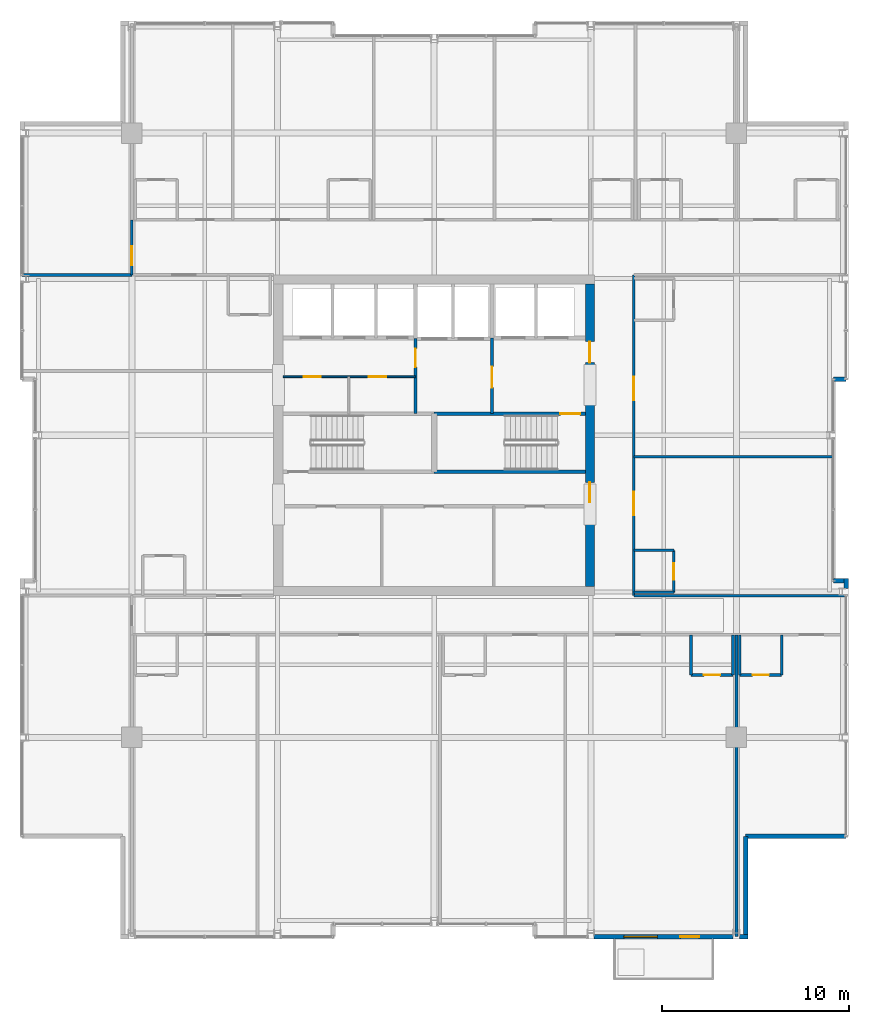
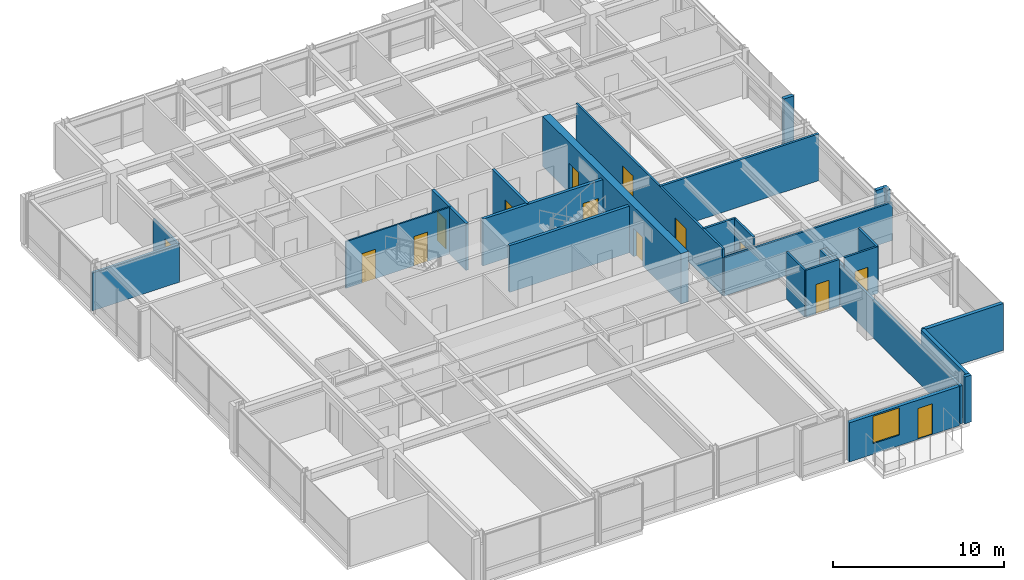
# One storey, part 27 of 31: 28 walls, 14 doors, 1 window, 15 openings.
"""IFC4 building model written with IfcOpenShell, lengths in metres."""

from ifc_helpers import new_model, si_unit, direction, frame, frame_2d, origin, place, context, subcontext, project, spatial, rectangle, extrude, material, layer, layer_set, type_object, element, fill, save


model = new_model("IFC4")

# Units and contexts
model_context = context("Model", 3, precision=1e-05, world=origin(), true_north=direction((0.0, 1.0)))
body_context = subcontext(model_context, "Body", "Model", "MODEL_VIEW")
ifc_project = project(units=[si_unit("LENGTHUNIT", "METRE"), si_unit("AREAUNIT", "SQUARE_METRE"), si_unit("VOLUMEUNIT", "CUBIC_METRE"), si_unit("PLANEANGLEUNIT", "RADIAN"), si_unit("MASSUNIT", "GRAM", prefix="KILO")], contexts=[model_context])

# Site, building, storey
site_placement = place(None, origin())
site = spatial("IfcSite", under=ifc_project, at=site_placement, CompositionType="ELEMENT")
building_placement = place(site_placement, origin())
building = spatial("IfcBuilding", under=site, at=building_placement, Name="Drelvath Grand Hotel", CompositionType="ELEMENT")
storey_placement = place(building_placement, frame((0.0, 0.0, 244.699951171875)))
storey = spatial("IfcBuildingStorey", under=building, at=storey_placement, Name="L64", CompositionType="ELEMENT", Elevation=244.699951171875)

# Wall, openings, doors
ifc_material_1 = material(Name="Gypsum Partition Board")
ifc_layer_1 = layer(ifc_material_1, 0.10009765625)
ifc_layer_set_1 = layer_set([ifc_layer_1], Name="Gypsum Partition Board")
wall_type_1 = type_object("IfcWallType", Name="Core Closet Partition 100", PredefinedType="PARTITIONING", material=ifc_layer_set_1)
wall_1_placement = place(storey_placement, frame((-8.10009765625, 30.139892578125, 0.0), z_axis=(0.0, 0.0, 1.0), x_axis=(1.0, 0.0, 0.0)))
wall_1 = element("IfcWall", 1, at=wall_1_placement, inside=storey, type_object=wall_type_1, Name="L64 High-Rise Lobby Closet Wall", PredefinedType="PARTITIONING", context=body_context, shape_type="SweptSolid", body=[
    extrude(rectangle(XDim=7.10009765625, YDim=0.10009765625, at=frame_2d((3.550048828125, 0.0))), origin(), (0.0, 0.0, 1.0), 3.340087890625),
])
opening_1_placement = place(wall_1_placement, frame((1.10009765625, 0.0, 0.0)))
opening_1 = element("IfcOpeningElement", 2, at=opening_1_placement, cuts=wall_1, Name="Opening D-T4G4-013", PredefinedType="OPENING", context=body_context, shape_type="SweptSolid", body=[
    extrude(rectangle(XDim=0.919921875, YDim=2.10009765625, at=frame_2d((0.4599609375, 1.050048828125))), frame((0.0, 0.06005859375, 0.0), z_axis=(0.0, -1.0, 0.0), x_axis=(1.0, 0.0, 0.0)), (0.0, 0.0, 1.0), 0.1201171875),
])
opening_2_placement = place(wall_1_placement, frame((4.60009765625, 0.0, 0.0)))
opening_2 = element("IfcOpeningElement", 3, at=opening_2_placement, cuts=wall_1, Name="Opening D-T4G4-014", PredefinedType="OPENING", context=body_context, shape_type="SweptSolid", body=[
    extrude(rectangle(XDim=0.919921875, YDim=2.10009765625, at=frame_2d((0.4599609375, 1.050048828125))), frame((0.0, 0.06005859375, 0.0), z_axis=(0.0, -1.0, 0.0), x_axis=(1.0, 0.0, 0.0)), (0.0, 0.0, 1.0), 0.1201171875),
])
ifc_material_2 = material(Name="Painted Steel S275", Category="steel")
door_type_1 = type_object("IfcDoorType", Name="Staff Utility Door 920x2100", OperationType="NOTDEFINED", PredefinedType="DOOR", material=ifc_material_2)
door_1_placement = place(opening_1_placement, origin())
door_1 = element("IfcDoor", 4, at=door_1_placement, inside=storey, type_object=door_type_1, Name="L64 Electrical Closet Door", OperationType="SINGLE_SWING_RIGHT", OverallHeight=2.10009765625, OverallWidth=0.919921875, PredefinedType="DOOR", context=body_context, shape_type="SweptSolid", body=[
    extrude(rectangle(XDim=0.919921875, YDim=2.10009765625, at=frame_2d((0.4599609375, 1.050048828125))), frame((0.0, 0.02490234375, 0.0), z_axis=(0.0, -1.0, 0.0), x_axis=(1.0, 0.0, 0.0)), (0.0, 0.0, 1.0), 0.050048828125),
])
fill(opening_1, door_1)
door_2_placement = place(opening_2_placement, origin())
door_2 = element("IfcDoor", 5, at=door_2_placement, inside=storey, type_object=door_type_1, Name="L64 Telecom Room Door", OperationType="SINGLE_SWING_LEFT", OverallHeight=2.10009765625, OverallWidth=0.919921875, PredefinedType="DOOR", context=body_context, shape_type="SweptSolid", body=[
    extrude(rectangle(XDim=0.919921875, YDim=2.10009765625, at=frame_2d((0.4599609375, 1.050048828125))), frame((0.0, 0.02490234375, 0.0), z_axis=(0.0, -1.0, 0.0), x_axis=(1.0, 0.0, 0.0)), (0.0, 0.0, 1.0), 0.050048828125),
])
fill(opening_2, door_2)

# Wall
ifc_material_3 = material(Name="Concrete C40/50", Category="concrete")
ifc_layer_2 = layer(ifc_material_3, 0.199951171875)
ifc_layer_set_2 = layer_set([ifc_layer_2], Name="Concrete C40/50")
wall_type_2 = type_object("IfcWallType", Name="Core Shaft Fire Wall 200", PredefinedType="SOLIDWALL", material=ifc_layer_set_2)
wall_2_placement = place(storey_placement, frame((0.0, 25.0400390625, 0.0), z_axis=(0.0, 0.0, 1.0), x_axis=(1.0, 0.0, 0.0)))
element("IfcWall", 6, at=wall_2_placement, inside=storey, type_object=wall_type_2, Name="L64 Stair ST-2 South Wall", PredefinedType="SOLIDWALL", context=body_context, shape_type="SweptSolid", body=[
    extrude(rectangle(XDim=8.10009765625, YDim=0.199951171875, at=frame_2d((4.050048828125, 0.0))), origin(), (0.0, 0.0, 1.0), 3.340087890625),
])

# Wall, opening, door
wall_3_placement = place(storey_placement, frame((8.10009765625, 28.159912109375, 0.0), z_axis=(0.0, 0.0, 1.0), x_axis=(-1.0, 0.0, 0.0)))
wall_3 = element("IfcWall", 7, at=wall_3_placement, inside=storey, type_object=wall_type_2, Name="L64 Stair ST-2 North Wall", PredefinedType="SOLIDWALL", context=body_context, shape_type="SweptSolid", body=[
    extrude(rectangle(XDim=8.10009765625, YDim=0.199951171875, at=frame_2d((4.050048828125, 0.0))), origin(), (0.0, 0.0, 1.0), 3.340087890625),
])
opening_3_placement = place(wall_3_placement, frame((0.280029296875, 0.0, 0.0)))
opening_3 = element("IfcOpeningElement", 8, at=opening_3_placement, cuts=wall_3, Name="Opening D-T4G4-002", PredefinedType="OPENING", context=body_context, shape_type="SweptSolid", body=[
    extrude(rectangle(XDim=1.050048828125, YDim=2.10009765625, at=frame_2d((0.52490234375, 1.050048828125))), frame((0.0, 0.10986328125, 0.0), z_axis=(0.0, -1.0, 0.0), x_axis=(1.0, 0.0, 0.0)), (0.0, 0.0, 1.0), 0.219970703125),
])
door_type_2 = type_object("IfcDoorType", Name="Tower Stairwell Fire Door 1050x2100", OperationType="NOTDEFINED", PredefinedType="DOOR", material=ifc_material_2)
door_3_placement = place(opening_3_placement, origin())
door_3 = element("IfcDoor", 9, at=door_3_placement, inside=storey, type_object=door_type_2, Name="L64 Exit Stair ST-2 Door", OperationType="SINGLE_SWING_LEFT", OverallHeight=2.10009765625, OverallWidth=1.050048828125, PredefinedType="DOOR", context=body_context, shape_type="SweptSolid", body=[
    extrude(rectangle(XDim=1.050048828125, YDim=2.10009765625, at=frame_2d((0.52490234375, 1.050048828125))), frame((0.0, 0.02490234375, 0.0), z_axis=(0.0, -1.0, 0.0), x_axis=(1.0, 0.0, 0.0)), (0.0, 0.0, 1.0), 0.050048828125),
])
fill(opening_3, door_3)

# Wall
ifc_material_4 = material(Name="Gypsum Fireboard Partition")
ifc_layer_3 = layer(ifc_material_4, 0.135009765625)
ifc_layer_set_3 = layer_set([ifc_layer_3], Name="Gypsum Fireboard Partition")
wall_type_3 = type_object("IfcWallType", Name="Corridor Fire Barrier Wall 135", PredefinedType="PARTITIONING", material=ifc_layer_set_3)
wall_4_placement = place(storey_placement, frame((10.699951171875, 18.39990234375, 0.0), z_axis=(0.0, 0.0, 1.0), x_axis=(1.0, 0.0, 0.0)))
element("IfcWall", 10, at=wall_4_placement, inside=storey, type_object=wall_type_3, Name="L64 South Gallery Inner East Wall", PredefinedType="PARTITIONING", context=body_context, shape_type="SweptSolid", body=[
    extrude(rectangle(XDim=11.380126953125, YDim=0.135009765625, at=frame_2d((5.68994140625, 0.0))), origin(), (0.0, 0.0, 1.0), 2.717529296875),
])

# Wall, openings, doors
wall_5_placement = place(storey_placement, frame((10.699951171875, 18.39990234375, 0.0), z_axis=(0.0, 0.0, 1.0), x_axis=(0.0, 1.0, 0.0)))
wall_5 = element("IfcWall", 11, at=wall_5_placement, inside=storey, type_object=wall_type_3, Name="L64 East Gallery Link Wall", PredefinedType="PARTITIONING", context=body_context, shape_type="SweptSolid", body=[
    extrude(rectangle(XDim=17.2001953125, YDim=0.135009765625, at=frame_2d((8.60009765625, 0.0))), origin(), (0.0, 0.0, 1.0), 3.340087890625),
])
opening_4_placement = place(wall_5_placement, frame((4.311767578125, 0.0, 0.0)))
opening_4 = element("IfcOpeningElement", 12, at=opening_4_placement, cuts=wall_5, Name="Opening D-T4G4-042", PredefinedType="OPENING", context=body_context, shape_type="SweptSolid", body=[
    extrude(rectangle(XDim=1.260009765625, YDim=2.199951171875, at=frame_2d((0.6298828125, 1.10009765625))), frame((0.0, 0.077392578125, 0.0), z_axis=(0.0, -1.0, 0.0), x_axis=(1.0, 0.0, 0.0)), (0.0, 0.0, 1.0), 0.155029296875),
])
opening_5_placement = place(wall_5_placement, frame((10.481689453125, 0.0, 0.0)))
opening_5 = element("IfcOpeningElement", 13, at=opening_5_placement, cuts=wall_5, Name="Opening D-T4G4-044", PredefinedType="OPENING", context=body_context, shape_type="SweptSolid", body=[
    extrude(rectangle(XDim=1.260009765625, YDim=2.199951171875, at=frame_2d((0.6298828125, 1.10009765625))), frame((0.0, 0.077392578125, 0.0), z_axis=(0.0, -1.0, 0.0), x_axis=(1.0, 0.0, 0.0)), (0.0, 0.0, 1.0), 0.155029296875),
])
ifc_material_5 = material(Name="Hardwood Walnut Timber", Category="wood")
door_type_3 = type_object("IfcDoorType", Name="Suite Entrance Fire Door 1260x2200", OperationType="NOTDEFINED", PredefinedType="DOOR", material=ifc_material_5)
door_4_placement = place(opening_4_placement, origin())
door_4 = element("IfcDoor", 14, at=door_4_placement, inside=storey, type_object=door_type_3, Name="L64 Diplomatic Suite Entry Door", OperationType="SINGLE_SWING_LEFT", OverallHeight=2.199951171875, OverallWidth=1.260009765625, PredefinedType="DOOR", context=body_context, shape_type="SweptSolid", body=[
    extrude(rectangle(XDim=1.260009765625, YDim=2.199951171875, at=frame_2d((0.6298828125, 1.10009765625))), frame((0.0, 0.02490234375, 0.0), z_axis=(0.0, -1.0, 0.0), x_axis=(1.0, 0.0, 0.0)), (0.0, 0.0, 1.0), 0.050048828125),
])
fill(opening_4, door_4)
door_5_placement = place(opening_5_placement, origin())
door_5 = element("IfcDoor", 15, at=door_5_placement, inside=storey, type_object=door_type_3, Name="L64 Diplomatic Suite Entry Door", OperationType="SINGLE_SWING_LEFT", OverallHeight=2.199951171875, OverallWidth=1.260009765625, PredefinedType="DOOR", context=body_context, shape_type="SweptSolid", body=[
    extrude(rectangle(XDim=1.260009765625, YDim=2.199951171875, at=frame_2d((0.6298828125, 1.10009765625))), frame((0.0, 0.02490234375, 0.0), z_axis=(0.0, -1.0, 0.0), x_axis=(1.0, 0.0, 0.0)), (0.0, 0.0, 1.0), 0.050048828125),
])
fill(opening_5, door_5)

# Wall, opening, door
wall_6_placement = place(storey_placement, frame((-16.199951171875, 35.60009765625, 0.0), z_axis=(0.0, 0.0, 1.0), x_axis=(0.0, 1.0, 0.0)))
wall_6 = element("IfcWall", 16, at=wall_6_placement, inside=storey, type_object=wall_type_3, Name="L64 North Gallery West End", PredefinedType="PARTITIONING", context=body_context, shape_type="SweptSolid", body=[
    extrude(rectangle(XDim=2.949951171875, YDim=0.135009765625, at=frame_2d((1.47509765625, 0.0))), origin(), (0.0, 0.0, 1.0), 2.7138671875),
])
opening_6_placement = place(wall_6_placement, frame((0.52001953125, 0.0, 0.0)))
opening_6 = element("IfcOpeningElement", 17, at=opening_6_placement, cuts=wall_6, Name="Opening D-T4G4-020", PredefinedType="OPENING", context=body_context, shape_type="SweptSolid", body=[
    extrude(rectangle(XDim=1.02001953125, YDim=2.14990234375, at=frame_2d((0.510009765625, 1.074951171875))), frame((0.0, 0.077392578125, 0.0), z_axis=(0.0, -1.0, 0.0), x_axis=(1.0, 0.0, 0.0)), (0.0, 0.0, 1.0), 0.155029296875),
])
door_type_4 = type_object("IfcDoorType", Name="Amenity Meeting Fire Door 1020x2150", OperationType="NOTDEFINED", PredefinedType="DOOR", material=ifc_material_5)
door_6_placement = place(opening_6_placement, origin())
door_6 = element("IfcDoor", 18, at=door_6_placement, inside=storey, type_object=door_type_4, Name="L64 Corner Panorama Lounge Door", OperationType="SINGLE_SWING_LEFT", OverallHeight=2.14990234375, OverallWidth=1.02001953125, PredefinedType="DOOR", context=body_context, shape_type="SweptSolid", body=[
    extrude(rectangle(XDim=1.02001953125, YDim=2.14990234375, at=frame_2d((0.510009765625, 1.074951171875))), frame((0.0, 0.02490234375, 0.0), z_axis=(0.0, -1.0, 0.0), x_axis=(1.0, 0.0, 0.0)), (0.0, 0.0, 1.0), 0.050048828125),
])
fill(opening_6, door_6)

# Walls
ifc_material_6 = material(Name="Moisture-Resistant Gypsum Board")
ifc_layer_4 = layer(ifc_material_6, 0.139892578125)
ifc_layer_set_4 = layer_set([ifc_layer_4], Name="Moisture-Resistant Gypsum Board")
wall_type_4 = type_object("IfcWallType", Name="En-Suite Plumbing Wall 140", PredefinedType="PLUMBINGWALL", material=ifc_layer_set_4)
wall_7_placement = place(storey_placement, frame((16.3798828125, 16.300048828125, 0.0), z_axis=(0.0, 0.0, 1.0), x_axis=(0.0, -1.0, 0.0)))
element("IfcWall", 19, at=wall_7_placement, inside=storey, type_object=wall_type_4, Name="L64 En-Suite Left Wall", PredefinedType="PLUMBINGWALL", context=body_context, shape_type="SweptSolid", body=[
    extrude(rectangle(XDim=2.150146484375, YDim=0.139892578125, at=frame_2d((1.0751953125, 0.0))), origin(), (0.0, 0.0, 1.0), 2.7138671875),
])
wall_8_placement = place(storey_placement, frame((18.6298828125, 16.300048828125, 0.0), z_axis=(0.0, 0.0, 1.0), x_axis=(0.0, -1.0, 0.0)))
element("IfcWall", 20, at=wall_8_placement, inside=storey, type_object=wall_type_4, Name="L64 En-Suite Right Wall", PredefinedType="PLUMBINGWALL", context=body_context, shape_type="SweptSolid", body=[
    extrude(rectangle(XDim=2.150146484375, YDim=0.139892578125, at=frame_2d((1.0751953125, 0.0))), origin(), (0.0, 0.0, 1.0), 3.340087890625),
])

# Wall, opening, door
wall_9_placement = place(storey_placement, frame((16.3798828125, 14.14990234375, 0.0), z_axis=(0.0, 0.0, 1.0), x_axis=(1.0, 0.0, 0.0)))
wall_9 = element("IfcWall", 21, at=wall_9_placement, inside=storey, type_object=wall_type_4, Name="L64 En-Suite Front Wall", PredefinedType="PLUMBINGWALL", context=body_context, shape_type="SweptSolid", body=[
    extrude(rectangle(XDim=2.25, YDim=0.139892578125, at=frame_2d((1.125, 0.0))), origin(), (0.0, 0.0, 1.0), 3.340087890625),
])
opening_7_placement = place(wall_9_placement, frame((0.68505859375, 0.0, 0.0)))
opening_7 = element("IfcOpeningElement", 22, at=opening_7_placement, cuts=wall_9, Name="Opening D-T4G4-021", PredefinedType="OPENING", context=body_context, shape_type="SweptSolid", body=[
    extrude(rectangle(XDim=0.8798828125, YDim=2.10009765625, at=frame_2d((0.43994140625, 1.050048828125))), frame((0.0, 0.079833984375, 0.0), z_axis=(0.0, -1.0, 0.0), x_axis=(1.0, 0.0, 0.0)), (0.0, 0.0, 1.0), 0.159912109375),
])
door_type_5 = type_object("IfcDoorType", Name="En-Suite Bathroom Door 880x2100", OperationType="NOTDEFINED", PredefinedType="DOOR", material=ifc_material_5)
door_7_placement = place(opening_7_placement, origin())
door_7 = element("IfcDoor", 23, at=door_7_placement, inside=storey, type_object=door_type_5, Name="L64 En-Suite Bathroom Door", OperationType="SINGLE_SWING_RIGHT", OverallHeight=2.10009765625, OverallWidth=0.8798828125, PredefinedType="DOOR", context=body_context, shape_type="SweptSolid", body=[
    extrude(rectangle(XDim=0.8798828125, YDim=2.10009765625, at=frame_2d((0.43994140625, 1.050048828125))), frame((0.0, 0.02490234375, 0.0), z_axis=(0.0, -1.0, 0.0), x_axis=(1.0, 0.0, 0.0)), (0.0, 0.0, 1.0), 0.050048828125),
])
fill(opening_7, door_7)

# Walls
wall_10_placement = place(storey_placement, frame((13.77001953125, 16.300048828125, 0.0), z_axis=(0.0, 0.0, 1.0), x_axis=(0.0, -1.0, 0.0)))
element("IfcWall", 24, at=wall_10_placement, inside=storey, type_object=wall_type_4, Name="L64 En-Suite Left Wall", PredefinedType="PLUMBINGWALL", context=body_context, shape_type="SweptSolid", body=[
    extrude(rectangle(XDim=2.150146484375, YDim=0.139892578125, at=frame_2d((1.0751953125, 0.0))), origin(), (0.0, 0.0, 1.0), 3.340087890625),
])
wall_11_placement = place(storey_placement, frame((16.02001953125, 16.300048828125, 0.0), z_axis=(0.0, 0.0, 1.0), x_axis=(0.0, -1.0, 0.0)))
element("IfcWall", 25, at=wall_11_placement, inside=storey, type_object=wall_type_4, Name="L64 En-Suite Right Wall", PredefinedType="PLUMBINGWALL", context=body_context, shape_type="SweptSolid", body=[
    extrude(rectangle(XDim=2.150146484375, YDim=0.139892578125, at=frame_2d((1.0751953125, 0.0))), origin(), (0.0, 0.0, 1.0), 2.7138671875),
])

# Wall, opening, door
wall_12_placement = place(storey_placement, frame((13.77001953125, 14.14990234375, 0.0), z_axis=(0.0, 0.0, 1.0), x_axis=(1.0, 0.0, 0.0)))
wall_12 = element("IfcWall", 26, at=wall_12_placement, inside=storey, type_object=wall_type_4, Name="L64 En-Suite Front Wall", PredefinedType="PLUMBINGWALL", context=body_context, shape_type="SweptSolid", body=[
    extrude(rectangle(XDim=2.25, YDim=0.139892578125, at=frame_2d((1.125, 0.0))), origin(), (0.0, 0.0, 1.0), 3.340087890625),
])
opening_8_placement = place(wall_12_placement, frame((0.68505859375, 0.0, 0.0)))
opening_8 = element("IfcOpeningElement", 27, at=opening_8_placement, cuts=wall_12, Name="Opening D-T4G4-030", PredefinedType="OPENING", context=body_context, shape_type="SweptSolid", body=[
    extrude(rectangle(XDim=0.8798828125, YDim=2.10009765625, at=frame_2d((0.43994140625, 1.050048828125))), frame((0.0, 0.079833984375, 0.0), z_axis=(0.0, -1.0, 0.0), x_axis=(1.0, 0.0, 0.0)), (0.0, 0.0, 1.0), 0.159912109375),
])
door_8_placement = place(opening_8_placement, origin())
door_8 = element("IfcDoor", 28, at=door_8_placement, inside=storey, type_object=door_type_5, Name="L64 En-Suite Bathroom Door", OperationType="SINGLE_SWING_LEFT", OverallHeight=2.10009765625, OverallWidth=0.8798828125, PredefinedType="DOOR", context=body_context, shape_type="SweptSolid", body=[
    extrude(rectangle(XDim=0.8798828125, YDim=2.10009765625, at=frame_2d((0.43994140625, 1.050048828125))), frame((0.0, 0.02490234375, 0.0), z_axis=(0.0, -1.0, 0.0), x_axis=(1.0, 0.0, 0.0)), (0.0, 0.0, 1.0), 0.050048828125),
])
fill(opening_8, door_8)

# Walls
wall_13_placement = place(storey_placement, frame((10.699951171875, 18.580078125, 0.0), z_axis=(0.0, 0.0, 1.0), x_axis=(1.0, 0.0, 0.0)))
element("IfcWall", 29, at=wall_13_placement, inside=storey, type_object=wall_type_4, Name="L64 En-Suite Left Wall", PredefinedType="PLUMBINGWALL", context=body_context, shape_type="SweptSolid", body=[
    extrude(rectangle(XDim=2.150146484375, YDim=0.139892578125, at=frame_2d((1.0751953125, 0.0))), origin(), (0.0, 0.0, 1.0), 2.717529296875),
])
wall_14_placement = place(storey_placement, frame((10.699951171875, 20.830078125, 0.0), z_axis=(0.0, 0.0, 1.0), x_axis=(1.0, 0.0, 0.0)))
element("IfcWall", 30, at=wall_14_placement, inside=storey, type_object=wall_type_4, Name="L64 En-Suite Right Wall", PredefinedType="PLUMBINGWALL", context=body_context, shape_type="SweptSolid", body=[
    extrude(rectangle(XDim=2.150146484375, YDim=0.139892578125, at=frame_2d((1.0751953125, 0.0))), origin(), (0.0, 0.0, 1.0), 3.340087890625),
])

# Wall, opening, door
wall_15_placement = place(storey_placement, frame((12.85009765625, 18.580078125, 0.0), z_axis=(0.0, 0.0, 1.0), x_axis=(0.0, 1.0, 0.0)))
wall_15 = element("IfcWall", 31, at=wall_15_placement, inside=storey, type_object=wall_type_4, Name="L64 En-Suite Front Wall", PredefinedType="PLUMBINGWALL", context=body_context, shape_type="SweptSolid", body=[
    extrude(rectangle(XDim=2.25, YDim=0.139892578125, at=frame_2d((1.125, 0.0))), origin(), (0.0, 0.0, 1.0), 3.340087890625),
])
opening_9_placement = place(wall_15_placement, frame((0.68505859375, 0.0, 0.0)))
opening_9 = element("IfcOpeningElement", 32, at=opening_9_placement, cuts=wall_15, Name="Opening D-T4G4-041", PredefinedType="OPENING", context=body_context, shape_type="SweptSolid", body=[
    extrude(rectangle(XDim=0.8798828125, YDim=2.10009765625, at=frame_2d((0.43994140625, 1.050048828125))), frame((0.0, 0.079833984375, 0.0), z_axis=(0.0, -1.0, 0.0), x_axis=(1.0, 0.0, 0.0)), (0.0, 0.0, 1.0), 0.159912109375),
])
door_9_placement = place(opening_9_placement, origin())
door_9 = element("IfcDoor", 33, at=door_9_placement, inside=storey, type_object=door_type_5, Name="L64 En-Suite Bathroom Door", OperationType="SINGLE_SWING_RIGHT", OverallHeight=2.10009765625, OverallWidth=0.8798828125, PredefinedType="DOOR", context=body_context, shape_type="SweptSolid", body=[
    extrude(rectangle(XDim=0.8798828125, YDim=2.10009765625, at=frame_2d((0.43994140625, 1.050048828125))), frame((0.0, 0.02490234375, 0.0), z_axis=(0.0, -1.0, 0.0), x_axis=(1.0, 0.0, 0.0)), (0.0, 0.0, 1.0), 0.050048828125),
])
fill(opening_9, door_9)

ifc_layer_5 = layer(ifc_material_4, 0.179931640625)
ifc_layer_set_5 = layer_set([ifc_layer_5], Name="Gypsum Fireboard Partition")
wall_type_5 = type_object("IfcWallType", Name="FSAE Smoke Lobby Fire Wall 180", PredefinedType="SOLIDWALL", material=ifc_layer_set_5)
wall_16_placement = place(storey_placement, frame((3.10009765625, 28.159912109375, 0.0), z_axis=(0.0, 0.0, 1.0), x_axis=(0.0, 1.0, 0.0)))
wall_16 = element("IfcWall", 34, at=wall_16_placement, inside=storey, type_object=wall_type_5, Name="L64 FSAE Smoke Lobby West Wall", PredefinedType="SOLIDWALL", context=body_context, shape_type="SweptSolid", body=[
    extrude(rectangle(XDim=4.06005859375, YDim=0.179931640625, at=frame_2d((2.030029296875, 0.0))), origin(), (0.0, 0.0, 1.0), 3.340087890625),
])
opening_10_placement = place(wall_16_placement, frame((1.39990234375, 0.0, 0.0)))
opening_10 = element("IfcOpeningElement", 35, at=opening_10_placement, cuts=wall_16, Name="Opening D-T4G4-005", PredefinedType="OPENING", context=body_context, shape_type="SweptSolid", body=[
    extrude(rectangle(XDim=1.1201171875, YDim=2.10009765625, at=frame_2d((0.56005859375, 1.050048828125))), frame((0.0, 0.099853515625, 0.0), z_axis=(0.0, -1.0, 0.0), x_axis=(1.0, 0.0, 0.0)), (0.0, 0.0, 1.0), 0.199951171875),
])
door_type_6 = type_object("IfcDoorType", Name="FSAE Smoke Lobby Fire Door 1120x2100", OperationType="NOTDEFINED", PredefinedType="DOOR", material=ifc_material_2)
door_10_placement = place(opening_10_placement, origin())
door_10 = element("IfcDoor", 36, at=door_10_placement, inside=storey, type_object=door_type_6, Name="L64 FSAE Lobby Service Vestibule Door", OperationType="SINGLE_SWING_RIGHT", OverallHeight=2.10009765625, OverallWidth=1.1201171875, PredefinedType="DOOR", context=body_context, shape_type="SweptSolid", body=[
    extrude(rectangle(XDim=1.1201171875, YDim=2.10009765625, at=frame_2d((0.56005859375, 1.050048828125))), frame((0.0, 0.02490234375, 0.0), z_axis=(0.0, -1.0, 0.0), x_axis=(1.0, 0.0, 0.0)), (0.0, 0.0, 1.0), 0.050048828125),
])
fill(opening_10, door_10)

wall_17_placement = place(storey_placement, frame((-1.0, 28.159912109375, 0.0), z_axis=(0.0, 0.0, 1.0), x_axis=(0.0, 1.0, 0.0)))
wall_17 = element("IfcWall", 37, at=wall_17_placement, inside=storey, type_object=wall_type_5, Name="L64 Service Vestibule West Wall", PredefinedType="SOLIDWALL", context=body_context, shape_type="SweptSolid", body=[
    extrude(rectangle(XDim=4.02001953125, YDim=0.179931640625, at=frame_2d((2.010009765625, 0.0))), origin(), (0.0, 0.0, 1.0), 3.340087890625),
])
opening_11_placement = place(wall_17_placement, frame((2.489990234375, 0.0, 0.0)))
opening_11 = element("IfcOpeningElement", 38, at=opening_11_placement, cuts=wall_17, Name="Opening D-T4G4-009", PredefinedType="OPENING", context=body_context, shape_type="SweptSolid", body=[
    extrude(rectangle(XDim=1.0, YDim=2.10009765625, at=frame_2d((0.5, 1.050048828125))), frame((0.0, 0.099853515625, 0.0), z_axis=(0.0, -1.0, 0.0), x_axis=(1.0, 0.0, 0.0)), (0.0, 0.0, 1.0), 0.199951171875),
])
door_type_7 = type_object("IfcDoorType", Name="Core Service Fire Door 1000x2100", OperationType="NOTDEFINED", PredefinedType="DOOR", material=ifc_material_2)
door_11_placement = place(opening_11_placement, origin())
door_11 = element("IfcDoor", 39, at=door_11_placement, inside=storey, type_object=door_type_7, Name="L64 Service Vestibule West Door", OperationType="SINGLE_SWING_LEFT", OverallHeight=2.10009765625, OverallWidth=1.0, PredefinedType="DOOR", context=body_context, shape_type="SweptSolid", body=[
    extrude(rectangle(XDim=1.0, YDim=2.10009765625, at=frame_2d((0.5, 1.050048828125))), frame((0.0, 0.02490234375, 0.0), z_axis=(0.0, -1.0, 0.0), x_axis=(1.0, 0.0, 0.0)), (0.0, 0.0, 1.0), 0.050048828125),
])
fill(opening_11, door_11)

# Walls
ifc_material_7 = material(Name="Gypsum Acoustic Partition")
ifc_layer_6 = layer(ifc_material_7, 0.14990234375)
ifc_layer_set_6 = layer_set([ifc_layer_6], Name="Gypsum Acoustic Partition")
wall_type_6 = type_object("IfcWallType", Name="Guestroom Demising Wall 150", PredefinedType="PARTITIONING", material=ifc_layer_set_6)
wall_18_placement = place(storey_placement, frame((10.699951171875, 25.853271484375, 0.0), z_axis=(0.0, 0.0, 1.0), x_axis=(1.0, 0.0, 0.0)))
element("IfcWall", 40, at=wall_18_placement, inside=storey, type_object=wall_type_6, Name="L64 East Demising 1", PredefinedType="PARTITIONING", context=body_context, shape_type="SweptSolid", body=[
    extrude(rectangle(XDim=10.699951171875, YDim=0.14990234375, at=frame_2d((5.35009765625, 0.0))), origin(), (0.0, 0.0, 1.0), 3.340087890625),
])
ifc_layer_7 = layer(ifc_material_7, 0.1650390625)
ifc_layer_set_7 = layer_set([ifc_layer_7], Name="Gypsum Acoustic Partition")
wall_type_7 = type_object("IfcWallType", Name="Suite Demising Wall 165", PredefinedType="PARTITIONING", material=ifc_layer_set_7)
wall_19_placement = place(storey_placement, frame((16.199951171875, 0.1201171875, 0.0), z_axis=(0.0, 0.0, 1.0), x_axis=(0.0, 1.0, 0.0)))
element("IfcWall", 41, at=wall_19_placement, inside=storey, type_object=wall_type_7, Name="L64 SE Suite Wall", PredefinedType="PARTITIONING", context=body_context, shape_type="SweptSolid", body=[
    extrude(rectangle(XDim=16.179931640625, YDim=0.1650390625, at=frame_2d((8.08984375, 0.0))), origin(), (0.0, 0.0, 1.0), 2.7138671875),
])
wall_20_placement = place(storey_placement, frame((-22.080078125, 35.60009765625, 0.0), z_axis=(0.0, 0.0, 1.0), x_axis=(1.0, 0.0, 0.0)))
element("IfcWall", 42, at=wall_20_placement, inside=storey, type_object=wall_type_7, Name="L64 NW Corner South Wall", PredefinedType="PARTITIONING", context=body_context, shape_type="SweptSolid", body=[
    extrude(rectangle(XDim=5.880126953125, YDim=0.1650390625, at=frame_2d((2.93994140625, 0.0))), origin(), (0.0, 0.0, 1.0), 2.7138671875),
])
ifc_material_8 = material(Name="Pale-Metal Insulated Aluminium Spandrel Assembly", Category="aluminium")
ifc_layer_8 = layer(ifc_material_8, 0.239990234375)
ifc_layer_set_8 = layer_set([ifc_layer_8], Name="Pale-Metal Insulated Aluminium Spandrel Assembly")
wall_type_8 = type_object("IfcWallType", Name="Tower Insulated Metal Spandrel Closure Wall 240", PredefinedType="STANDARD", material=ifc_layer_set_8)
wall_21_placement = place(storey_placement, frame((22.080078125, 19.320068359375, 0.0), z_axis=(0.0, 0.0, 1.0), x_axis=(0.0, -1.0, 0.0)))
element("IfcWall", 43, at=wall_21_placement, inside=storey, type_object=wall_type_8, Name="L64 Corner Pier Spandrel Wall ES3", PredefinedType="STANDARD", context=body_context, shape_type="SweptSolid", body=[
    extrude(rectangle(XDim=0.541748046875, YDim=0.239990234375, at=frame_2d((0.27099609375, 0.0))), origin(), (0.0, 0.0, 1.0), 3.340087890625),
])

# Wall, openings, window, door
wall_22_placement = place(storey_placement, frame((16.021728515625, 0.1201171875, 0.0), z_axis=(0.0, 0.0, 1.0), x_axis=(-1.0, 0.0, 0.0)))
wall_22 = element("IfcWall", 44, at=wall_22_placement, inside=storey, type_object=wall_type_8, Name="L64 Exterior Terrace Door Bay Wall SE2", PredefinedType="STANDARD", context=body_context, shape_type="SweptSolid", body=[
    extrude(rectangle(XDim=7.443603515625, YDim=0.239990234375, at=frame_2d((3.7216796875, 0.0))), origin(), (0.0, 0.0, 1.0), 2.803466796875),
])
opening_12_placement = place(wall_22_placement, frame((1.82177734375, 0.0, 0.0)))
opening_12 = element("IfcOpeningElement", 45, at=opening_12_placement, cuts=wall_22, Name="Opening TD-1000", PredefinedType="OPENING", context=body_context, shape_type="SweptSolid", body=[
    extrude(rectangle(XDim=1.0, YDim=2.199951171875, at=frame_2d((0.5, 1.10009765625))), frame((0.0, 0.1298828125, 0.0), z_axis=(0.0, -1.0, 0.0), x_axis=(1.0, 0.0, 0.0)), (0.0, 0.0, 1.0), 0.260009765625),
])
opening_13_placement = place(wall_22_placement, frame((4.056640625, 0.0, 0.75)))
opening_13 = element("IfcOpeningElement", 46, at=opening_13_placement, cuts=wall_22, Name="Opening W-02", PredefinedType="OPENING", context=body_context, shape_type="SweptSolid", body=[
    extrude(rectangle(XDim=1.800048828125, YDim=1.953369140625, at=frame_2d((0.89990234375, 0.9765625))), frame((0.0, 0.1298828125, 0.0), z_axis=(0.0, -1.0, 0.0), x_axis=(1.0, 0.0, 0.0)), (0.0, 0.0, 1.0), 0.260009765625),
])
ifc_material_9 = material(Name="Bronze Anodised Low-E Triple Glazing", Category="glass")
window_type = type_object("IfcWindowType", Name="Chicago Double-Pane Podium Window 1800x2400", PartitioningType="DOUBLE_PANEL_VERTICAL", PredefinedType="WINDOW", material=ifc_material_9)
window_placement = place(opening_13_placement, origin())
window = element("IfcWindow", 47, at=window_placement, inside=storey, type_object=window_type, Name="L64 Terrace Bay Companion Window SE2", OverallHeight=1.953369140625, OverallWidth=1.800048828125, PartitioningType="SINGLE_PANEL", PredefinedType="WINDOW", context=body_context, shape_type="SweptSolid", body=[
    extrude(rectangle(XDim=1.800048828125, YDim=1.953369140625, at=frame_2d((0.89990234375, 0.9765625))), frame((0.0, 0.030029296875, 0.0), z_axis=(0.0, -1.0, 0.0), x_axis=(1.0, 0.0, 0.0)), (0.0, 0.0, 1.0), 0.06005859375),
])
fill(opening_13, window)
ifc_material_10 = material(Name="Anodised Aluminium Thermally Broken Glazed Door", Category="aluminium")
door_type_8 = type_object("IfcDoorType", Name="Terrace and Tree Balcony Glazed Door 1000x2200", OperationType="NOTDEFINED", PredefinedType="DOOR", material=ifc_material_10)
door_12_placement = place(opening_12_placement, origin())
door_12 = element("IfcDoor", 48, at=door_12_placement, inside=storey, type_object=door_type_8, Name="L64 Tree Balcony Door DOOR-L64-TBAL-1", OperationType="SINGLE_SWING_LEFT", OverallHeight=2.199951171875, OverallWidth=1.0, PredefinedType="DOOR", context=body_context, shape_type="SweptSolid", body=[
    extrude(rectangle(XDim=1.0, YDim=2.199951171875, at=frame_2d((0.5, 1.10009765625))), frame((0.0, 0.02490234375, 0.0), z_axis=(0.0, -1.0, 0.0), x_axis=(1.0, 0.0, 0.0)), (0.0, 0.0, 1.0), 0.050048828125),
])
fill(opening_12, door_12)

# Walls
wall_23_placement = place(storey_placement, frame((16.820068359375, 0.1201171875, 0.0), z_axis=(0.0, 0.0, 1.0), x_axis=(-1.0, 0.0, 0.0)))
element("IfcWall", 49, at=wall_23_placement, inside=storey, type_object=wall_type_8, Name="L64 Corner Pier Spandrel Wall SE3", PredefinedType="STANDARD", context=body_context, shape_type="SweptSolid", body=[
    extrude(rectangle(XDim=0.44189453125, YDim=0.239990234375, at=frame_2d((0.220947265625, 0.0))), origin(), (0.0, 0.0, 1.0), 3.340087890625),
])
wall_24_placement = place(storey_placement, frame((22.080078125, 5.5, 0.0), z_axis=(0.0, 0.0, 1.0), x_axis=(-1.0, 0.0, 0.0)))
element("IfcWall", 50, at=wall_24_placement, inside=storey, type_object=wall_type_8, Name="L64 Notched Corner Return Spandrel Wall CSE1", PredefinedType="STANDARD", context=body_context, shape_type="SweptSolid", body=[
    extrude(rectangle(XDim=5.380126953125, YDim=0.239990234375, at=frame_2d((2.68994140625, 0.0))), origin(), (0.0, 0.0, 1.0), 3.340087890625),
])
wall_25_placement = place(storey_placement, frame((16.699951171875, 5.5, 0.0), z_axis=(0.0, 0.0, 1.0), x_axis=(0.0, -1.0, 0.0)))
element("IfcWall", 51, at=wall_25_placement, inside=storey, type_object=wall_type_8, Name="L64 Notched Corner Return Spandrel Wall CSE2", PredefinedType="STANDARD", context=body_context, shape_type="SweptSolid", body=[
    extrude(rectangle(XDim=5.260009765625, YDim=0.239990234375, at=frame_2d((2.6298828125, 0.0))), origin(), (0.0, 0.0, 1.0), 3.340087890625),
])
wall_26_placement = place(storey_placement, frame((22.080078125, 30.0, 0.0), z_axis=(0.0, 0.0, 1.0), x_axis=(-1.0, 0.0, 0.0)))
element("IfcWall", 52, at=wall_26_placement, inside=storey, type_object=wall_type_8, Name="L64 Notched Corner Return Spandrel Wall RE1", PredefinedType="STANDARD", context=body_context, shape_type="SweptSolid", body=[
    extrude(rectangle(XDim=0.68017578125, YDim=0.239990234375, at=frame_2d((0.340087890625, 0.0))), origin(), (0.0, 0.0, 1.0), 3.340087890625),
])
wall_27_placement = place(storey_placement, frame((21.39990234375, 19.199951171875, 0.0), z_axis=(0.0, 0.0, 1.0), x_axis=(1.0, 0.0, 0.0)))
element("IfcWall", 53, at=wall_27_placement, inside=storey, type_object=wall_type_8, Name="L64 Notched Corner Return Spandrel Wall RE2", PredefinedType="STANDARD", context=body_context, shape_type="SweptSolid", body=[
    extrude(rectangle(XDim=0.56005859375, YDim=0.239990234375, at=frame_2d((0.280029296875, 0.0))), origin(), (0.0, 0.0, 1.0), 3.340087890625),
])

# Wall, openings, doors
ifc_material_11 = material(Name="Concrete f'c 55 MPa", Category="concrete")
ifc_layer_9 = layer(ifc_material_11, 0.5)
ifc_layer_set_9 = layer_set([ifc_layer_9], Name="Concrete f'c 55 MPa")
wall_type_9 = type_object("IfcWallType", Name="Upper Core RC Shear Wall 500", PredefinedType="SHEAR", material=ifc_layer_set_9)
wall_28_placement = place(storey_placement, frame((8.35009765625, 35.10009765625, 0.0), z_axis=(0.0, 0.0, 1.0), x_axis=(0.0, -1.0, 0.0)))
wall_28 = element("IfcWall", 54, at=wall_28_placement, inside=storey, type_object=wall_type_9, Name="L64 Central Core Shear Wall E", PredefinedType="SHEAR", context=body_context, shape_type="SweptSolid", body=[
    extrude(rectangle(XDim=16.2001953125, YDim=0.5, at=frame_2d((8.10009765625, 0.0))), origin(), (0.0, 0.0, 1.0), 3.60009765625),
])
opening_14_placement = place(wall_28_placement, frame((3.080078125, 0.0, 0.0)))
opening_14 = element("IfcOpeningElement", 55, at=opening_14_placement, cuts=wall_28, Name="Opening D-T4G4-006", PredefinedType="OPENING", context=body_context, shape_type="SweptSolid", body=[
    extrude(rectangle(XDim=1.1201171875, YDim=2.10009765625, at=frame_2d((0.56005859375, 1.050048828125))), frame((0.0, 0.260009765625, 0.0), z_axis=(0.0, -1.0, 0.0), x_axis=(1.0, 0.0, 0.0)), (0.0, 0.0, 1.0), 0.52001953125),
])
opening_15_placement = place(wall_28_placement, frame((10.6201171875, 0.0, 0.0)))
opening_15 = element("IfcOpeningElement", 56, at=opening_15_placement, cuts=wall_28, Name="Opening D-T4G4-015", PredefinedType="OPENING", context=body_context, shape_type="SweptSolid", body=[
    extrude(rectangle(XDim=1.080078125, YDim=2.0400390625, at=frame_2d((0.5400390625, 1.02001953125))), frame((0.0, 0.260009765625, 0.0), z_axis=(0.0, -1.0, 0.0), x_axis=(1.0, 0.0, 0.0)), (0.0, 0.0, 1.0), 0.52001953125),
])
door_type_9 = type_object("IfcDoorType", Name="Core Corridor Fire Door 1080x2100", OperationType="NOTDEFINED", PredefinedType="DOOR", material=ifc_material_2)
door_13_placement = place(opening_15_placement, origin())
door_13 = element("IfcDoor", 57, at=door_13_placement, inside=storey, type_object=door_type_9, Name="L64 Core Passage East Door", OperationType="SINGLE_SWING_RIGHT", OverallHeight=2.0400390625, OverallWidth=1.080078125, PredefinedType="DOOR", context=body_context, shape_type="SweptSolid", body=[
    extrude(rectangle(XDim=1.080078125, YDim=2.0400390625, at=frame_2d((0.5400390625, 1.02001953125))), frame((0.0, 0.02490234375, 0.0), z_axis=(0.0, -1.0, 0.0), x_axis=(1.0, 0.0, 0.0)), (0.0, 0.0, 1.0), 0.050048828125),
])
fill(opening_15, door_13)
door_14_placement = place(opening_14_placement, origin())
door_14 = element("IfcDoor", 58, at=door_14_placement, inside=storey, type_object=door_type_6, Name="L64 FSAE Lobby East Corridor Door", OperationType="SINGLE_SWING_LEFT", OverallHeight=2.10009765625, OverallWidth=1.1201171875, PredefinedType="DOOR", context=body_context, shape_type="SweptSolid", body=[
    extrude(rectangle(XDim=1.1201171875, YDim=2.10009765625, at=frame_2d((0.56005859375, 1.050048828125))), frame((0.0, 0.02490234375, 0.0), z_axis=(0.0, -1.0, 0.0), x_axis=(1.0, 0.0, 0.0)), (0.0, 0.0, 1.0), 0.050048828125),
])
fill(opening_14, door_14)

save(model, "model.ifc")
